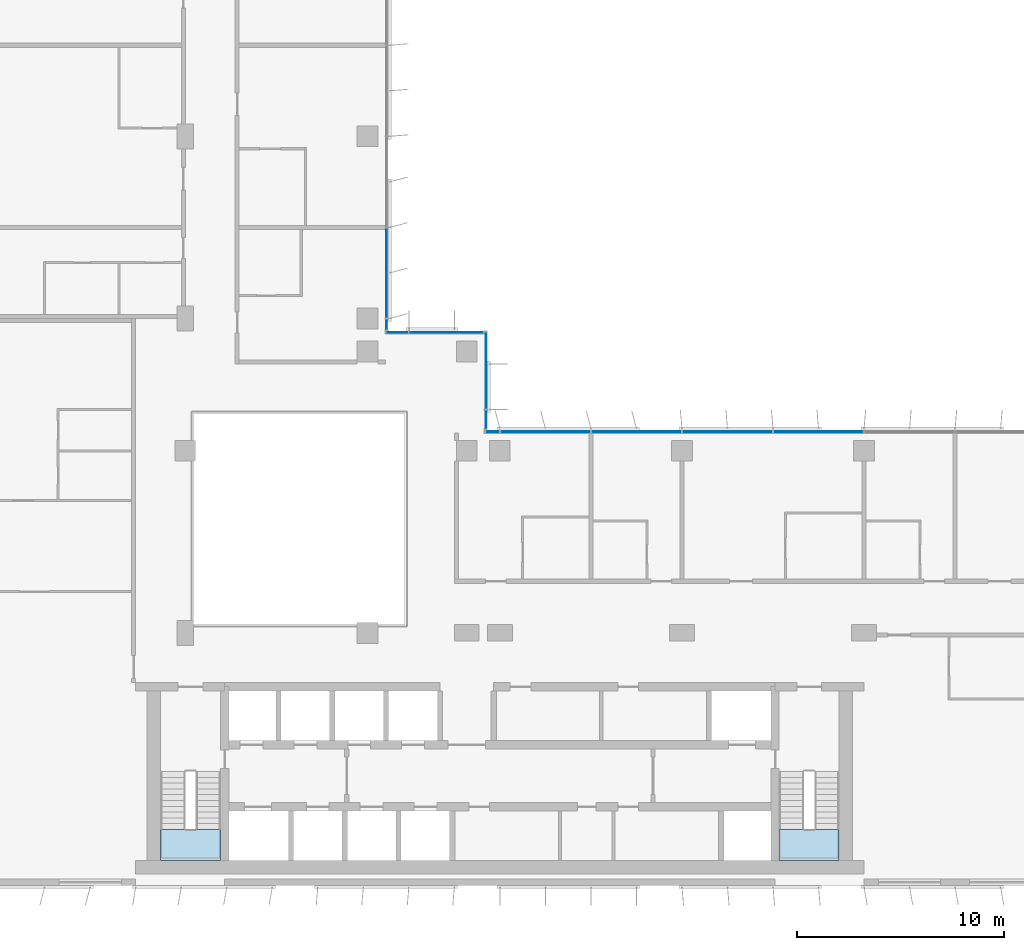
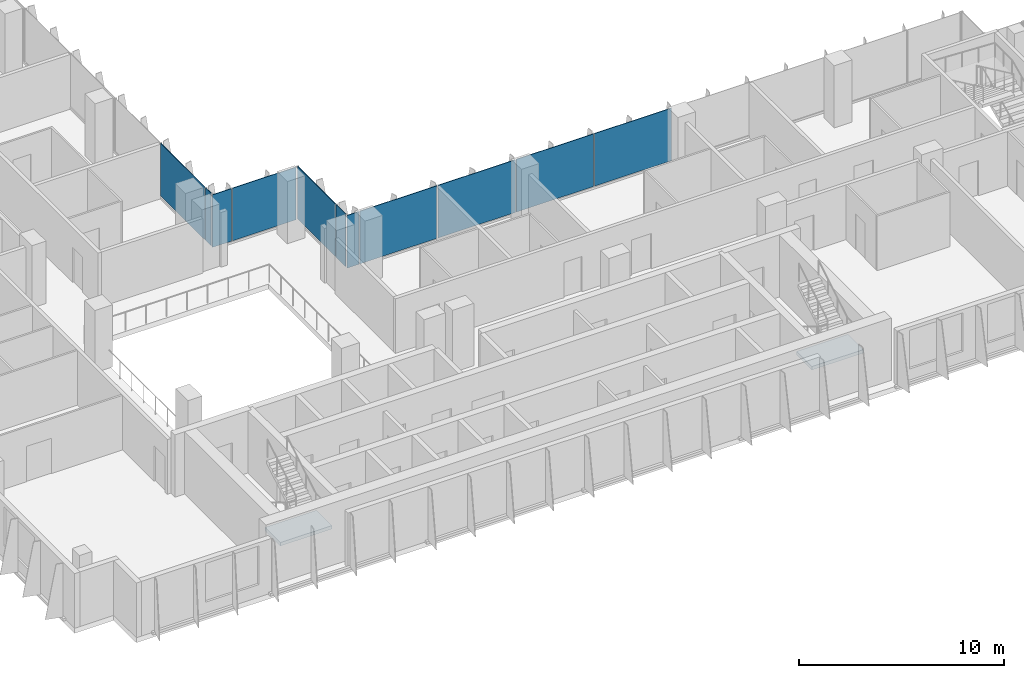
# One storey, part 10 of 20: 11 plates, 2 slabs, 6 elements without a shape of their own.
"""IFC4 building model written with IfcOpenShell, lengths in metres."""

import ifcopenshell
import ifcopenshell.guid

model = None  # the IFC model being written
_history = None  # IfcOwnerHistory: only IFC2X3 demands one
_inside = {}  # id of a spatial element -> (the spatial element, [elements in it])
_under = {}  # id of a project, library or spatial element -> (it, [spatial elements below it])
_declared = {}  # id of a project -> (the project, [libraries it declares])
_typed = {}  # id of a type object -> (the type object, [elements of that type])
_made_of = {}  # id of a material, layer set ... -> (it, [elements and type objects made of it])


def new_model(schema):
    """Start an empty IFC model of exactly this schema.

    Asked for "IFC4X3", IfcOpenShell would pick the latest addendum, in which some entities
    have other attributes; the version numbers below select the first issue.
    IFC2X3 requires an IfcOwnerHistory on every rooted entity: one is made here for all.
    """
    global model, _history
    if schema == "IFC4X3":
        model = ifcopenshell.file(schema_version=(4, 3, 0, 0))
    else:
        model = ifcopenshell.file(schema=schema)
    _inside.clear()
    _under.clear()
    _declared.clear()
    _typed.clear()
    _made_of.clear()
    _history = None
    if model.schema == "IFC2X3":
        org = make("IfcOrganization", Name="unknown")
        user = make(
            "IfcPersonAndOrganization",
            ThePerson=make("IfcPerson", FamilyName="unknown"),
            TheOrganization=org,
        )
        app = make(
            "IfcApplication",
            ApplicationDeveloper=org,
            Version="unknown",
            ApplicationFullName="unknown",
            ApplicationIdentifier="unknown",
        )
        _history = make(
            "IfcOwnerHistory",
            OwningUser=user,
            OwningApplication=app,
            ChangeAction="ADDED",
            CreationDate=0,
        )
    return model


def make(cls, **values):
    """One entity of the class cls with the attributes given. An attribute that is None is left unset."""
    return model.create_entity(
        cls, **{name: value for name, value in values.items() if value is not None}
    )


def rooted(cls, **values):
    """An entity with a GlobalId (a new one), such as an element, a storey or a relation."""
    return make(cls, GlobalId=ifcopenshell.guid.new(), OwnerHistory=_history, **values)


def si_unit(unit_type, name, prefix=None):
    """IfcSIUnit, for example si_unit("LENGTHUNIT", "METRE", prefix="MILLI")."""
    return make("IfcSIUnit", UnitType=unit_type, Prefix=prefix, Name=name)


def assignment(units):
    """IfcUnitAssignment: the units of a project."""
    return None if units is None else make("IfcUnitAssignment", Units=units)


def point(xyz):
    """IfcCartesianPoint."""
    return None if xyz is None else make("IfcCartesianPoint", Coordinates=xyz)


def direction(xyz):
    """IfcDirection."""
    return None if xyz is None else make("IfcDirection", DirectionRatios=xyz)


def frame(location, z_axis=None, x_axis=None):
    """IfcAxis2Placement3D, a coordinate frame: its origin and axes. An axis left out is left unset."""
    return make(
        "IfcAxis2Placement3D",
        Location=point(location),
        Axis=direction(z_axis),
        RefDirection=direction(x_axis),
    )


def frame_2d(location, x_axis=None):
    """IfcAxis2Placement2D, a coordinate frame in the plane: its origin and x axis."""
    return make(
        "IfcAxis2Placement2D", Location=point(location), RefDirection=direction(x_axis)
    )


def origin():
    """The frame at (0, 0, 0) with its axes left unset."""
    return frame((0.0, 0.0, 0.0))


def origin_2d():
    """The frame at (0, 0) in the plane with its x axis left unset."""
    return frame_2d((0.0, 0.0))


def place(relative_to, where):
    """IfcLocalPlacement: puts the frame where relative to a parent placement (None: the world)."""
    return make(
        "IfcLocalPlacement", PlacementRelTo=relative_to, RelativePlacement=where
    )


def context(
    kind, dimensions, precision=None, world=None, true_north=None, identifier=None
):
    """IfcGeometricRepresentationContext, for example the 3D "Model" context."""
    return make(
        "IfcGeometricRepresentationContext",
        ContextIdentifier=identifier,
        ContextType=kind,
        CoordinateSpaceDimension=dimensions,
        Precision=precision,
        WorldCoordinateSystem=world,
        TrueNorth=true_north,
    )


def subcontext(parent, identifier, kind, view, scale=None):
    """IfcGeometricRepresentationSubContext, for example "Body" below "Model"."""
    return make(
        "IfcGeometricRepresentationSubContext",
        ContextIdentifier=identifier,
        ContextType=kind,
        ParentContext=parent,
        TargetScale=scale,
        TargetView=view,
    )


def project(units=None, contexts=None):
    """IfcProject with its units and contexts."""
    return rooted(
        "IfcProject",
        Name="project",
        RepresentationContexts=contexts,
        UnitsInContext=assignment(units),
    )


def spatial(cls, under=None, at=None, **own):
    """A site, building, storey or space (cls), placed at a placement, below another one or the project."""
    s = rooted(cls, ObjectPlacement=at, **own)
    if under is not None:
        _under.setdefault(under.id(), (under, []))[1].append(s)
    return s


def polyline(points):
    """IfcPolyline through the points."""
    return make("IfcPolyline", Points=[point(p) for p in points])


def profile(cls, at=None, kind="AREA", **sizes):
    """A parametric profile (cls). Its sizes go by their IFC names, for example OverallWidth=200.0."""
    return make(cls, ProfileType=kind, Position=at, **sizes)


def rectangle(**sizes):
    """IfcRectangleProfileDef."""
    return profile("IfcRectangleProfileDef", **sizes)


def outline(outer, holes=None, kind="AREA"):
    """IfcArbitraryClosedProfileDef: a profile drawn as a closed curve; with holes, ...WithVoids."""
    if holes is None:
        return make("IfcArbitraryClosedProfileDef", ProfileType=kind, OuterCurve=outer)
    return make(
        "IfcArbitraryProfileDefWithVoids",
        ProfileType=kind,
        OuterCurve=outer,
        InnerCurves=holes,
    )


def extrude(swept, where, along, depth):
    """IfcExtrudedAreaSolid: the profile swept, set in the frame where, extruded along a direction by depth."""
    return make(
        "IfcExtrudedAreaSolid",
        SweptArea=swept,
        Position=where,
        ExtrudedDirection=direction(along),
        Depth=depth,
    )


def shape(context_of_items, identifier, shape_type, items):
    """IfcShapeRepresentation: the items that make up one representation, for example the "Body"."""
    return make(
        "IfcShapeRepresentation",
        ContextOfItems=context_of_items,
        RepresentationIdentifier=identifier,
        RepresentationType=shape_type,
        Items=items,
    )


def source(mapping_origin, context_of_items, identifier, shape_type, items):
    """IfcRepresentationMap: a shape defined once, which mapped items show again and again."""
    return make(
        "IfcRepresentationMap",
        MappingOrigin=mapping_origin,
        MappedRepresentation=shape(context_of_items, identifier, shape_type, items),
    )


def transform(
    local_origin,
    x_axis=None,
    y_axis=None,
    z_axis=None,
    scale=None,
    scale2=None,
    scale3=None,
    uniform=True,
):
    """IfcCartesianTransformationOperator3D, or its non-uniform kind. x_axis, y_axis, z_axis: its Axis1, 2, 3."""
    if uniform:
        return make(
            "IfcCartesianTransformationOperator3D",
            Axis1=direction(x_axis),
            Axis2=direction(y_axis),
            LocalOrigin=point(local_origin),
            Scale=scale,
            Axis3=direction(z_axis),
        )
    return make(
        "IfcCartesianTransformationOperator3DnonUniform",
        Axis1=direction(x_axis),
        Axis2=direction(y_axis),
        LocalOrigin=point(local_origin),
        Scale=scale,
        Axis3=direction(z_axis),
        Scale2=scale2,
        Scale3=scale3,
    )


def mapped(mapping_source, mapping_target):
    """IfcMappedItem: shows the shape of a source again, moved by a transform."""
    return make(
        "IfcMappedItem", MappingSource=mapping_source, MappingTarget=mapping_target
    )


def material(Name=None, Category=None):
    """IfcMaterial."""
    return make("IfcMaterial", Name=Name, Category=Category)


def layer(
    of_material, thickness, ventilated=None, Name=None, Category=None, Priority=None
):
    """IfcMaterialLayer: one layer of a wall or slab, of a material (None: an air gap)."""
    return make(
        "IfcMaterialLayer",
        Material=of_material,
        LayerThickness=thickness,
        IsVentilated=ventilated,
        Name=Name,
        Category=Category,
        Priority=Priority,
    )


def layer_set(layers, Name=None):
    """IfcMaterialLayerSet."""
    return make("IfcMaterialLayerSet", MaterialLayers=layers, LayerSetName=Name)


def made_of(thing, what):
    """Note that an element or type object is made of a material, layer set ...; save() writes the relation."""
    if what is not None:
        _made_of.setdefault(what.id(), (what, []))[1].append(thing)
    return thing


def type_object(cls, material=None, **own):
    """A type object (cls), such as IfcWallType, which elements share."""
    return made_of(rooted(cls, **own), material)


def element(
    cls,
    number,
    at=None,
    inside=None,
    cuts=None,
    type_object=None,
    material=None,
    context=None,
    identifier="Body",
    shape_type=None,
    held_by="IfcProductDefinitionShape",
    body=None,
    shapes=None,
    **own,
):
    """One element of the class cls, such as IfcWall. Its Tag is "e" and its number.

    at: its placement. inside: the storey or other place that contains it. cuts: it is an
    opening in that element (IfcRelVoidsElement). A single representation is given by context,
    identifier, shape_type and body (its items); several are given by shapes. held_by: the class
    of the entity that holds the representations. save() writes the other relations.
    """
    e = rooted(cls, Tag="e%d" % number, ObjectPlacement=at, **own)
    if body is not None:
        shapes = [shape(context, identifier, shape_type, body)]
    if shapes is not None:
        e.Representation = make(held_by, Representations=shapes)
    if inside is not None:
        _inside.setdefault(inside.id(), (inside, []))[1].append(e)
    if cuts is not None:
        rooted(
            "IfcRelVoidsElement", RelatingBuildingElement=cuts, RelatedOpeningElement=e
        )
    if type_object is not None:
        _typed.setdefault(type_object.id(), (type_object, []))[1].append(e)
    return made_of(e, material)


def aggregate(whole, parts):
    """IfcRelAggregates: a whole, such as a stair, and the parts it consists of."""
    return rooted("IfcRelAggregates", RelatingObject=whole, RelatedObjects=parts)


def save(model, path):
    """Write the relations noted so far, then the file.

    IfcRelAggregates (storeys below a building ...), IfcRelContainedInSpatialStructure (elements
    in a storey), IfcRelDefinesByType, IfcRelAssociatesMaterial and IfcRelDeclares: one each for
    every whole, place, type object, material and project.
    """
    for whole, parts in _under.values():
        aggregate(whole, parts)
    for where, things in _inside.values():
        rooted(
            "IfcRelContainedInSpatialStructure",
            RelatedElements=things,
            RelatingStructure=where,
        )
    for kind, things in _typed.values():
        rooted("IfcRelDefinesByType", RelatedObjects=things, RelatingType=kind)
    for what, things in _made_of.values():
        rooted("IfcRelAssociatesMaterial", RelatedObjects=things, RelatingMaterial=what)
    for by, libraries in _declared.values():
        rooted("IfcRelDeclares", RelatingContext=by, RelatedDefinitions=libraries)
    model.write(path)


model = new_model("IFC4")

# Units and contexts
model_context = context("Model", 3, precision=1e-05, world=origin(), true_north=direction((0.0, 1.0)))
body_context = subcontext(model_context, "Body", "Model", "MODEL_VIEW")
ifc_project = project(units=[si_unit("LENGTHUNIT", "METRE"), si_unit("AREAUNIT", "SQUARE_METRE"), si_unit("VOLUMEUNIT", "CUBIC_METRE"), si_unit("PLANEANGLEUNIT", "RADIAN"), si_unit("MASSUNIT", "GRAM", prefix="KILO")], contexts=[model_context])

# Site, building, storey
site_placement = place(None, origin())
site = spatial("IfcSite", under=ifc_project, at=site_placement, CompositionType="ELEMENT")
building_placement = place(site_placement, origin())
building = spatial("IfcBuilding", under=site, at=building_placement, Name="Kemantara Hotel Tower", CompositionType="ELEMENT")
storey_placement = place(building_placement, frame((0.0, 0.0, 190.10009765625)))
storey = spatial("IfcBuildingStorey", under=building, at=storey_placement, Name="L47", CompositionType="ELEMENT", Elevation=190.10009765625)

# Stair, slab
ifc_material_1 = material(Name="Concrete fc 40 MPa", Category="concrete")
stair_type = type_object("IfcStairType", Name="Stair 1200 wide 22 risers of 168 x 280 mm", PredefinedType="HALF_TURN_STAIR", material=ifc_material_1)
stair_1_placement = place(storey_placement, origin())
stair_1 = element("IfcStair", 1, at=stair_1_placement, inside=storey, type_object=stair_type, Name="L47 Exit stair ST1", PredefinedType="HALF_TURN_STAIR")
ifc_layer_1 = layer(ifc_material_1, 0.199951171875)
ifc_layer_set_1 = layer_set([ifc_layer_1], Name="Concrete fc 40 MPa")
slab_type = type_object("IfcSlabType", Name="Stair landing 200 mm", PredefinedType="LANDING", material=ifc_layer_set_1)
slab_1_placement = place(storey_placement, frame((0.0, 0.0, 1.64990234375)))
slab_1 = element("IfcSlab", 2, at=slab_1_placement, type_object=slab_type, Name="ST1 landing 1", PredefinedType="LANDING", context=body_context, shape_type="SweptSolid", body=[
    extrude(outline(polyline([(11.0, 2.699951171875), (11.0, 1.199951171875), (13.89990234375, 1.199951171875), (13.89990234375, 2.699951171875), (11.0, 2.699951171875)])), origin(), (0.0, 0.0, 1.0), 0.199951171875),
])
aggregate(stair_1, [slab_1])

stair_2_placement = place(storey_placement, origin())
stair_2 = element("IfcStair", 3, at=stair_2_placement, inside=storey, type_object=stair_type, Name="L47 Exit stair ST2", PredefinedType="HALF_TURN_STAIR")
slab_2_placement = place(storey_placement, frame((0.0, 0.0, 1.64990234375)))
slab_2 = element("IfcSlab", 4, at=slab_2_placement, type_object=slab_type, Name="ST2 landing 1", PredefinedType="LANDING", context=body_context, shape_type="SweptSolid", body=[
    extrude(outline(polyline([(40.89990234375, 2.699951171875), (40.89990234375, 1.199951171875), (43.800048828125, 1.199951171875), (43.800048828125, 2.699951171875), (40.89990234375, 2.699951171875)])), origin(), (0.0, 0.0, 1.0), 0.199951171875),
])
aggregate(stair_2, [slab_2])

# Curtain wall, plates
ifc_material_2 = material(Name="Low-E tinted double insulated glass 36 mm", Category="glass")
curtain_wall_type = type_object("IfcCurtainWallType", Name="TOWER CURTAIN WALL, FRONT FACES", PredefinedType="USERDEFINED", material=ifc_material_2)
curtain_wall_1_placement = place(storey_placement, origin())
curtain_wall_1 = element("IfcCurtainWall", 5, at=curtain_wall_1_placement, inside=storey, type_object=curtain_wall_type, Name="CW4 L47 T3-R14-1", ObjectType="TOWER CURTAIN WALL, FRONT FACES", PredefinedType="USERDEFINED")
ifc_layer_2 = layer(ifc_material_2, 0.035888671875)
ifc_layer_set_2 = layer_set([ifc_layer_2], Name="Low-E tinted double insulated glass 36 mm")
plate_type = type_object("IfcPlateType", Name="TOWER CURTAIN WALL, FRONT FACES PANEL", PredefinedType="CURTAIN_PANEL", material=ifc_layer_set_2)
shared_shape_1 = source(origin(), body_context, "Body", "SweptSolid", [
    extrude(rectangle(XDim=4.340087890625, YDim=0.035888671875, at=origin_2d()), origin(), (0.0, 0.0, 1.0), 3.1298828125),
])
plate_1_placement = place(storey_placement, frame((42.800048828125, 21.925048828125, 0.119873046875), z_axis=(0.0, 0.0, 1.0), x_axis=(-1.0, 0.0, 0.0)))
plate_1 = element("IfcPlate", 6, at=plate_1_placement, type_object=plate_type, Name="CW4 glass panel T3-R14-1.5", PredefinedType="CURTAIN_PANEL", context=body_context, shape_type="MappedRepresentation", body=[
    mapped(shared_shape_1, transform((0.0, 0.0, 0.0))),
])
plate_2_placement = place(storey_placement, frame((38.39990234375, 21.925048828125, 0.119873046875), z_axis=(0.0, 0.0, 1.0), x_axis=(-1.0, 0.0, 0.0)))
plate_2 = element("IfcPlate", 7, at=plate_2_placement, type_object=plate_type, Name="CW4 glass panel T3-R14-1.6", PredefinedType="CURTAIN_PANEL", context=body_context, shape_type="MappedRepresentation", body=[
    mapped(shared_shape_1, transform((0.0, 0.0, 0.0))),
])
plate_3_placement = place(storey_placement, frame((34.0, 21.925048828125, 0.119873046875), z_axis=(0.0, 0.0, 1.0), x_axis=(-1.0, 0.0, 0.0)))
plate_3 = element("IfcPlate", 8, at=plate_3_placement, type_object=plate_type, Name="CW4 glass panel T3-R14-1.7", PredefinedType="CURTAIN_PANEL", context=body_context, shape_type="MappedRepresentation", body=[
    mapped(shared_shape_1, transform((0.0, 0.0, 0.0))),
])
plate_4_placement = place(storey_placement, frame((29.60009765625, 21.925048828125, 0.119873046875), z_axis=(0.0, 0.0, 1.0), x_axis=(-1.0, 0.0, 0.0)))
plate_4 = element("IfcPlate", 9, at=plate_4_placement, type_object=plate_type, Name="CW4 glass panel T3-R14-1.8", PredefinedType="CURTAIN_PANEL", context=body_context, shape_type="MappedRepresentation", body=[
    mapped(shared_shape_1, transform((0.0, 0.0, 0.0))),
])

# Curtain wall, plate
curtain_wall_2_placement = place(storey_placement, origin())
curtain_wall_2 = element("IfcCurtainWall", 10, at=curtain_wall_2_placement, inside=storey, type_object=curtain_wall_type, Name="CW4 L47 T3-R17-1", ObjectType="TOWER CURTAIN WALL, FRONT FACES", PredefinedType="USERDEFINED")
plate_5_placement = place(storey_placement, frame((21.925048828125, 29.60009765625, 0.119873046875), z_axis=(0.0, 0.0, 1.0), x_axis=(0.0, 1.0, 0.0)))
plate_5 = element("IfcPlate", 11, at=plate_5_placement, type_object=plate_type, Name="CW4 glass panel T3-R17-1.2", PredefinedType="CURTAIN_PANEL", context=body_context, shape_type="MappedRepresentation", body=[
    mapped(shared_shape_1, transform((0.0, 0.0, 0.0))),
])

# Plate
shared_shape_2 = source(origin(), body_context, "Body", "SweptSolid", [
    extrude(rectangle(XDim=0.659912109375, YDim=0.035888671875, at=origin_2d()), origin(), (0.0, 0.0, 1.0), 3.1298828125),
])
plate_6_placement = place(storey_placement, frame((27.0400390625, 21.925048828125, 0.119873046875), z_axis=(0.0, 0.0, 1.0), x_axis=(-1.0, 0.0, 0.0)))
plate_6 = element("IfcPlate", 12, at=plate_6_placement, type_object=plate_type, Name="CW4 glass panel T3-R14-1.9", PredefinedType="CURTAIN_PANEL", context=body_context, shape_type="MappedRepresentation", body=[
    mapped(shared_shape_2, transform((0.0, 0.0, 0.0))),
])

aggregate(curtain_wall_1, [plate_1, plate_2, plate_3, plate_4, plate_6])

shared_shape_3 = source(origin(), body_context, "Body", "SweptSolid", [
    extrude(rectangle(XDim=0.510009765625, YDim=0.035888671875, at=origin_2d()), origin(), (0.0, 0.0, 1.0), 3.1298828125),
])
plate_7_placement = place(storey_placement, frame((21.925048828125, 27.114990234375, 0.119873046875), z_axis=(0.0, 0.0, 1.0), x_axis=(0.0, 1.0, 0.0)))
plate_7 = element("IfcPlate", 13, at=plate_7_placement, type_object=plate_type, Name="CW4 glass panel T3-R17-1.1", PredefinedType="CURTAIN_PANEL", context=body_context, shape_type="MappedRepresentation", body=[
    mapped(shared_shape_3, transform((0.0, 0.0, 0.0))),
])

aggregate(curtain_wall_2, [plate_7, plate_5])

# Curtain wall, plates
curtain_wall_3_placement = place(storey_placement, origin())
curtain_wall_3 = element("IfcCurtainWall", 14, at=curtain_wall_3_placement, inside=storey, type_object=curtain_wall_type, Name="CW4 L47 T3-R15-1", ObjectType="TOWER CURTAIN WALL, FRONT FACES", PredefinedType="USERDEFINED")
shared_shape_4 = source(origin(), body_context, "Body", "SweptSolid", [
    extrude(rectangle(XDim=0.909912109375, YDim=0.035888671875, at=origin_2d()), origin(), (0.0, 0.0, 1.0), 3.1298828125),
])
plate_8_placement = place(storey_placement, frame((26.72509765625, 22.514892578125, 0.119873046875), z_axis=(0.0, 0.0, 1.0), x_axis=(0.0, 1.0, 0.0)))
plate_8 = element("IfcPlate", 15, at=plate_8_placement, type_object=plate_type, Name="CW4 glass panel T3-R15-1.1", PredefinedType="CURTAIN_PANEL", context=body_context, shape_type="MappedRepresentation", body=[
    mapped(shared_shape_4, transform((0.0, 0.0, 0.0))),
])
shared_shape_5 = source(origin(), body_context, "Body", "SweptSolid", [
    extrude(rectangle(XDim=3.7099609375, YDim=0.035888671875, at=origin_2d()), origin(), (0.0, 0.0, 1.0), 3.1298828125),
])
plate_9_placement = place(storey_placement, frame((26.72509765625, 24.885009765625, 0.119873046875), z_axis=(0.0, 0.0, 1.0), x_axis=(0.0, 1.0, 0.0)))
plate_9 = element("IfcPlate", 16, at=plate_9_placement, type_object=plate_type, Name="CW4 glass panel T3-R15-1.2", PredefinedType="CURTAIN_PANEL", context=body_context, shape_type="MappedRepresentation", body=[
    mapped(shared_shape_5, transform((0.0, 0.0, 0.0))),
])
aggregate(curtain_wall_3, [plate_8, plate_9])

curtain_wall_4_placement = place(storey_placement, origin())
curtain_wall_4 = element("IfcCurtainWall", 17, at=curtain_wall_4_placement, inside=storey, type_object=curtain_wall_type, Name="CW4 L47 T3-R16-1", ObjectType="TOWER CURTAIN WALL, FRONT FACES", PredefinedType="USERDEFINED")
shared_shape_6 = source(origin(), body_context, "Body", "SweptSolid", [
    extrude(rectangle(XDim=3.56005859375, YDim=0.035888671875, at=origin_2d()), origin(), (0.0, 0.0, 1.0), 3.1298828125),
])
plate_10_placement = place(storey_placement, frame((24.81005859375, 26.72509765625, 0.119873046875), z_axis=(0.0, 0.0, 1.0), x_axis=(-1.0, 0.0, 0.0)))
plate_10 = element("IfcPlate", 18, at=plate_10_placement, type_object=plate_type, Name="CW4 glass panel T3-R16-1.1", PredefinedType="CURTAIN_PANEL", context=body_context, shape_type="MappedRepresentation", body=[
    mapped(shared_shape_6, transform((0.0, 0.0, 0.0))),
])
shared_shape_7 = source(origin(), body_context, "Body", "SweptSolid", [
    extrude(rectangle(XDim=1.06005859375, YDim=0.035888671875, at=origin_2d()), origin(), (0.0, 0.0, 1.0), 3.1298828125),
])
plate_11_placement = place(storey_placement, frame((22.43994140625, 26.72509765625, 0.119873046875), z_axis=(0.0, 0.0, 1.0), x_axis=(-1.0, 0.0, 0.0)))
plate_11 = element("IfcPlate", 19, at=plate_11_placement, type_object=plate_type, Name="CW4 glass panel T3-R16-1.2", PredefinedType="CURTAIN_PANEL", context=body_context, shape_type="MappedRepresentation", body=[
    mapped(shared_shape_7, transform((0.0, 0.0, 0.0))),
])
aggregate(curtain_wall_4, [plate_10, plate_11])

save(model, "model.ifc")
